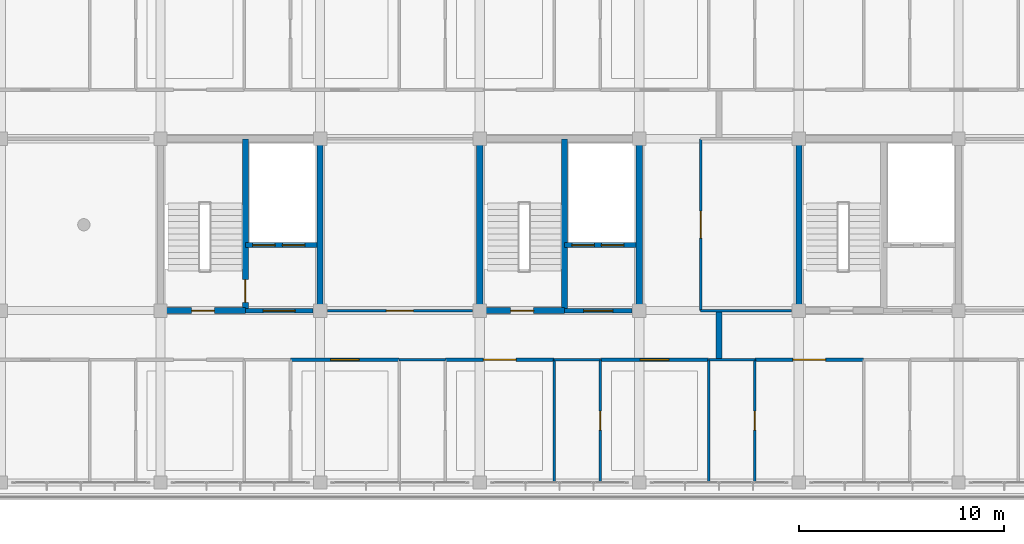
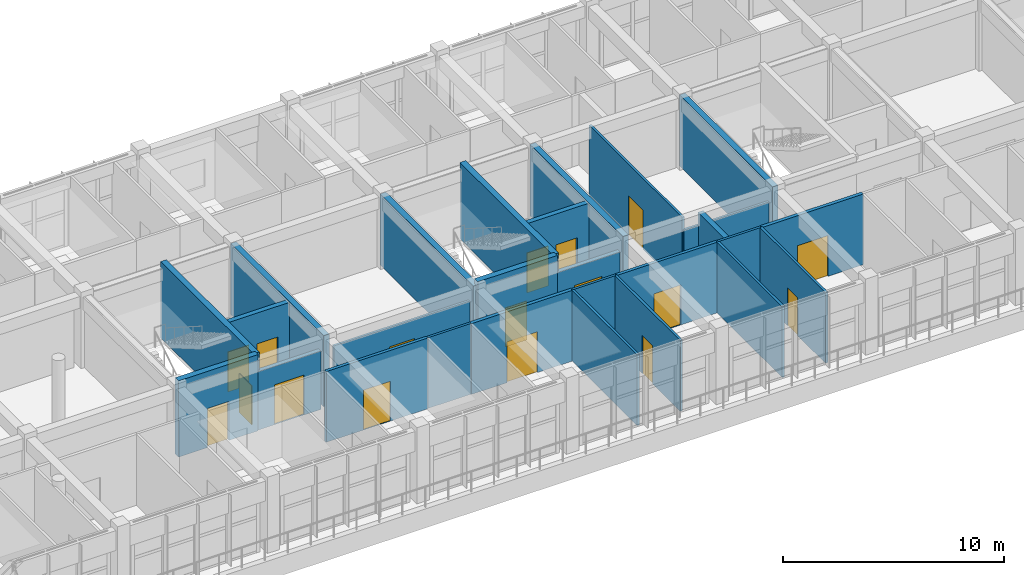
# One storey, part 51 of 63: 27 walls, 17 doors, 17 openings.
"""IFC4 building model written with IfcOpenShell, lengths in metres."""

from ifc_helpers import new_model, si_unit, direction, frame, frame_2d, origin, place, context, subcontext, project, spatial, rectangle, extrude, material, layer, layer_set, type_object, element, fill, save


model = new_model("IFC4")

# Units and contexts
model_context = context("Model", 3, precision=1e-05, world=origin(), true_north=direction((0.0, 1.0)))
body_context = subcontext(model_context, "Body", "Model", "MODEL_VIEW")
ifc_project = project(units=[si_unit("LENGTHUNIT", "METRE"), si_unit("AREAUNIT", "SQUARE_METRE"), si_unit("VOLUMEUNIT", "CUBIC_METRE"), si_unit("PLANEANGLEUNIT", "RADIAN"), si_unit("MASSUNIT", "GRAM", prefix="KILO")], contexts=[model_context])

# Site, building, storey
site_placement = place(None, origin())
site = spatial("IfcSite", under=ifc_project, at=site_placement, CompositionType="ELEMENT")
building_placement = place(site_placement, origin())
building = spatial("IfcBuilding", under=site, at=building_placement, Name="Zizhar Promenade General Hospital", CompositionType="ELEMENT")
storey_placement = place(building_placement, frame((0.0, 0.0, 18.0)))
storey = spatial("IfcBuildingStorey", under=building, at=storey_placement, Name="L04", CompositionType="ELEMENT", Elevation=18.0)

# Wall
ifc_material_1 = material(Name="Concrete C35/45", Category="concrete")
ifc_layer_1 = layer(ifc_material_1, 0.284912109375)
ifc_layer_set_1 = layer_set([ifc_layer_1], Name="Concrete C35/45")
wall_type_1 = type_object("IfcWallType", Name="IW-COMP-285", PredefinedType="STANDARD", material=ifc_layer_set_1)
wall_1_placement = place(storey_placement, frame((74.10009765625, 6.0, 0.0), z_axis=(0.0, 0.0, 1.0), x_axis=(0.0, 1.0, 0.0)))
element("IfcWall", 1, at=wall_1_placement, inside=storey, type_object=wall_type_1, Name="Horizontal Fire Compartment Wall South (L04)", PredefinedType="STANDARD", context=body_context, shape_type="SweptSolid", body=[
    extrude(rectangle(XDim=2.39990234375, YDim=0.284912109375, at=frame_2d((1.199951171875, 0.0))), origin(), (0.0, 0.0, 1.0), 3.89990234375),
])

# Wall, opening, door
ifc_material_2 = material(Name="Acoustic double-stud clinical partition")
ifc_layer_2 = layer(ifc_material_2, 0.179931640625)
ifc_layer_set_2 = layer_set([ifc_layer_2], Name="Acoustic double-stud clinical partition")
wall_type_2 = type_object("IfcWallType", Name="IW-ICU-180", PredefinedType="PARTITIONING", material=ifc_layer_set_2)
wall_2_placement = place(storey_placement, frame((60.72705078125, 6.0, 0.0), z_axis=(0.0, 0.0, 1.0), x_axis=(1.0, 0.0, 0.0)))
wall_2 = element("IfcWall", 2, at=wall_2_placement, inside=storey, type_object=wall_type_2, Name="Intensive Care Step-Down L04-S05 N Partition", PredefinedType="PARTITIONING", context=body_context, shape_type="SweptSolid", body=[
    extrude(rectangle(XDim=5.2958984375, YDim=0.179931640625, at=frame_2d((2.64794921875, 0.0))), origin(), (0.0, 0.0, 1.0), 3.89990234375),
])
opening_1_placement = place(wall_2_placement, frame((1.847900390625, 0.0, 0.0)))
opening_1 = element("IfcOpeningElement", 3, at=opening_1_placement, cuts=wall_2, Name="Opening D-05", PredefinedType="OPENING", context=body_context, shape_type="SweptSolid", body=[
    extrude(rectangle(XDim=1.60009765625, YDim=2.25, at=frame_2d((0.800048828125, 1.125))), frame((0.0, 0.10009765625, 0.0), z_axis=(0.0, -1.0, 0.0), x_axis=(1.0, 0.0, 0.0)), (0.0, 0.0, 1.0), 0.199951171875),
])
ifc_material_3 = material(Name="Anodised aluminium and clinical glass", Category="aluminium")
door_type_1 = type_object("IfcDoorType", Name="DR-ICU-GLZ-160x225", OperationType="SLIDING_TO_RIGHT", PredefinedType="DOOR", material=ifc_material_3)
door_1_placement = place(opening_1_placement, origin())
door_1 = element("IfcDoor", 4, at=door_1_placement, inside=storey, type_object=door_type_1, Name="Intensive Care Step-Down L04-S05 Door", OperationType="SLIDING_TO_RIGHT", OverallHeight=2.25, OverallWidth=1.60009765625, PredefinedType="DOOR", context=body_context, shape_type="SweptSolid", body=[
    extrude(rectangle(XDim=1.60009765625, YDim=2.25, at=frame_2d((0.800048828125, 1.125))), frame((0.0, 0.02490234375, 0.0), z_axis=(0.0, -1.0, 0.0), x_axis=(1.0, 0.0, 0.0)), (0.0, 0.0, 1.0), 0.050048828125),
])
fill(opening_1, door_1)

wall_3_placement = place(storey_placement, frame((75.860107421875, 6.0, 0.0), z_axis=(0.0, 0.0, 1.0), x_axis=(1.0, 0.0, 0.0)))
wall_3 = element("IfcWall", 5, at=wall_3_placement, inside=storey, type_object=wall_type_2, Name="Intensive Care Step-Down L04-S07 N Partition", PredefinedType="PARTITIONING", context=body_context, shape_type="SweptSolid", body=[
    extrude(rectangle(XDim=5.296875, YDim=0.179931640625, at=frame_2d((2.6484375, 0.0))), origin(), (0.0, 0.0, 1.0), 3.89990234375),
])
opening_2_placement = place(wall_3_placement, frame((1.848388671875, 0.0, 0.0)))
opening_2 = element("IfcOpeningElement", 6, at=opening_2_placement, cuts=wall_3, Name="Opening D-05", PredefinedType="OPENING", context=body_context, shape_type="SweptSolid", body=[
    extrude(rectangle(XDim=1.60009765625, YDim=2.25, at=frame_2d((0.800048828125, 1.125))), frame((0.0, 0.10009765625, 0.0), z_axis=(0.0, -1.0, 0.0), x_axis=(1.0, 0.0, 0.0)), (0.0, 0.0, 1.0), 0.199951171875),
])
door_2_placement = place(opening_2_placement, origin())
door_2 = element("IfcDoor", 7, at=door_2_placement, inside=storey, type_object=door_type_1, Name="Intensive Care Step-Down L04-S07 Door", OperationType="SLIDING_TO_RIGHT", OverallHeight=2.25, OverallWidth=1.60009765625, PredefinedType="DOOR", context=body_context, shape_type="SweptSolid", body=[
    extrude(rectangle(XDim=1.60009765625, YDim=2.25, at=frame_2d((0.800048828125, 1.125))), frame((0.0, 0.02490234375, 0.0), z_axis=(0.0, -1.0, 0.0), x_axis=(1.0, 0.0, 0.0)), (0.0, 0.0, 1.0), 0.050048828125),
])
fill(opening_2, door_2)

ifc_material_4 = material(Name="Concrete C35/45", Category="concrete")
ifc_layer_3 = layer(ifc_material_4, 0.215087890625)
ifc_layer_set_3 = layer_set([ifc_layer_3], Name="Concrete C35/45")
wall_type_3 = type_object("IfcWallType", Name="IW-LOBBY-215", PredefinedType="STANDARD", material=ifc_layer_set_3)
wall_4_placement = place(storey_placement, frame((50.949951171875, 8.39990234375, 0.0), z_axis=(0.0, 0.0, 1.0), x_axis=(1.0, 0.0, 0.0)))
wall_4 = element("IfcWall", 8, at=wall_4_placement, inside=storey, type_object=wall_type_3, Name="Core C2 Lift Lobby South Fire Wall (L04)", PredefinedType="STANDARD", context=body_context, shape_type="SweptSolid", body=[
    extrude(rectangle(XDim=3.2900390625, YDim=0.215087890625, at=frame_2d((1.64501953125, 0.0))), origin(), (0.0, 0.0, 1.0), 3.219970703125),
])
opening_3_placement = place(wall_4_placement, frame((0.864990234375, 0.0, 0.0)))
opening_3 = element("IfcOpeningElement", 9, at=opening_3_placement, cuts=wall_4, Name="Opening D-22", PredefinedType="OPENING", context=body_context, shape_type="SweptSolid", body=[
    extrude(rectangle(XDim=1.56005859375, YDim=2.199951171875, at=frame_2d((0.780029296875, 1.10009765625))), frame((0.0, 0.11767578125, 0.0), z_axis=(0.0, -1.0, 0.0), x_axis=(1.0, 0.0, 0.0)), (0.0, 0.0, 1.0), 0.235107421875),
])
ifc_material_5 = material(Name="Steel S355 firefighting lobby pair", Category="steel")
door_type_2 = type_object("IfcDoorType", Name="DR-LOBBY-FF-156x220", OperationType="DOUBLE_DOOR_SINGLE_SWING", PredefinedType="DOOR", material=ifc_material_5)
door_3_placement = place(opening_3_placement, origin())
door_3 = element("IfcDoor", 10, at=door_3_placement, inside=storey, type_object=door_type_2, Name="Core C2 Firefighting Lift Lobby Door (L04)", OperationType="DOUBLE_DOOR_SINGLE_SWING", OverallHeight=2.199951171875, OverallWidth=1.56005859375, PredefinedType="DOOR", context=body_context, shape_type="SweptSolid", body=[
    extrude(rectangle(XDim=1.56005859375, YDim=2.199951171875, at=frame_2d((0.780029296875, 1.10009765625))), frame((0.0, 0.02490234375, 0.0), z_axis=(0.0, -1.0, 0.0), x_axis=(1.0, 0.0, 0.0)), (0.0, 0.0, 1.0), 0.050048828125),
])
fill(opening_3, door_3)

wall_5_placement = place(storey_placement, frame((66.550048828125, 8.39990234375, 0.0), z_axis=(0.0, 0.0, 1.0), x_axis=(1.0, 0.0, 0.0)))
wall_5 = element("IfcWall", 11, at=wall_5_placement, inside=storey, type_object=wall_type_3, Name="Core C3 Lift Lobby South Fire Wall (L04)", PredefinedType="STANDARD", context=body_context, shape_type="SweptSolid", body=[
    extrude(rectangle(XDim=3.2900390625, YDim=0.215087890625, at=frame_2d((1.64501953125, 0.0))), origin(), (0.0, 0.0, 1.0), 3.219970703125),
])
opening_4_placement = place(wall_5_placement, frame((0.925048828125, 0.0, 0.0)))
opening_4 = element("IfcOpeningElement", 12, at=opening_4_placement, cuts=wall_5, Name="Opening D-23", PredefinedType="OPENING", context=body_context, shape_type="SweptSolid", body=[
    extrude(rectangle(XDim=1.43994140625, YDim=2.199951171875, at=frame_2d((0.719970703125, 1.10009765625))), frame((0.0, 0.11767578125, 0.0), z_axis=(0.0, -1.0, 0.0), x_axis=(1.0, 0.0, 0.0)), (0.0, 0.0, 1.0), 0.235107421875),
])
ifc_material_6 = material(Name="Fire-rated timber lift lobby pair", Category="wood")
door_type_3 = type_object("IfcDoorType", Name="DR-LOBBY-PR-144x220", OperationType="DOUBLE_DOOR_SINGLE_SWING", PredefinedType="DOOR", material=ifc_material_6)
door_4_placement = place(opening_4_placement, origin())
door_4 = element("IfcDoor", 13, at=door_4_placement, inside=storey, type_object=door_type_3, Name="Core C3 Protected Lift Lobby Door (L04)", OperationType="DOUBLE_DOOR_SINGLE_SWING", OverallHeight=2.199951171875, OverallWidth=1.43994140625, PredefinedType="DOOR", context=body_context, shape_type="SweptSolid", body=[
    extrude(rectangle(XDim=1.43994140625, YDim=2.199951171875, at=frame_2d((0.719970703125, 1.10009765625))), frame((0.0, 0.02490234375, 0.0), z_axis=(0.0, -1.0, 0.0), x_axis=(1.0, 0.0, 0.0)), (0.0, 0.0, 1.0), 0.050048828125),
])
fill(opening_4, door_4)

# Wall, openings, doors
ifc_material_7 = material(Name="Concrete C35/45", Category="concrete")
ifc_layer_4 = layer(ifc_material_7, 0.25)
ifc_layer_set_4 = layer_set([ifc_layer_4], Name="Concrete C35/45")
wall_type_4 = type_object("IfcWallType", Name="IW-SHAFT-250", PredefinedType="STANDARD", material=ifc_layer_set_4)
wall_6_placement = place(storey_placement, frame((50.949951171875, 11.60009765625, 0.0), z_axis=(0.0, 0.0, 1.0), x_axis=(1.0, 0.0, 0.0)))
wall_6 = element("IfcWall", 14, at=wall_6_placement, inside=storey, type_object=wall_type_4, Name="Core C2 Lift Shaft Landing Wall (L04)", PredefinedType="STANDARD", context=body_context, shape_type="SweptSolid", body=[
    extrude(rectangle(XDim=3.5, YDim=0.25, at=frame_2d((1.75, 0.0))), origin(), (0.0, 0.0, 1.0), 3.89990234375),
])
opening_5_placement = place(wall_6_placement, frame((0.35009765625, 0.0, 0.0)))
opening_5 = element("IfcOpeningElement", 15, at=opening_5_placement, cuts=wall_6, Name="Opening LD-11", PredefinedType="OPENING", context=body_context, shape_type="SweptSolid", body=[
    extrude(rectangle(XDim=1.10009765625, YDim=2.199951171875, at=frame_2d((0.550048828125, 1.10009765625))), frame((0.0, 0.135009765625, 0.0), z_axis=(0.0, -1.0, 0.0), x_axis=(1.0, 0.0, 0.0)), (0.0, 0.0, 1.0), 0.27001953125),
])
opening_6_placement = place(wall_6_placement, frame((1.800048828125, 0.0, 0.0)))
opening_6 = element("IfcOpeningElement", 16, at=opening_6_placement, cuts=wall_6, Name="Opening LD-11", PredefinedType="OPENING", context=body_context, shape_type="SweptSolid", body=[
    extrude(rectangle(XDim=1.10009765625, YDim=2.199951171875, at=frame_2d((0.550048828125, 1.10009765625))), frame((0.0, 0.135009765625, 0.0), z_axis=(0.0, -1.0, 0.0), x_axis=(1.0, 0.0, 0.0)), (0.0, 0.0, 1.0), 0.27001953125),
])
ifc_material_8 = material(Name="Stainless Steel S355 passenger lift landing door", Category="steel")
door_type_4 = type_object("IfcDoorType", Name="DR-LIFT-LD11", OperationType="SLIDING_TO_LEFT", PredefinedType="DOOR", material=ifc_material_8)
door_5_placement = place(opening_5_placement, origin())
door_5 = element("IfcDoor", 17, at=door_5_placement, inside=storey, type_object=door_type_4, Name="Lift LF-01 Sliding Landing Door (L04)", OperationType="SLIDING_TO_LEFT", OverallHeight=2.199951171875, OverallWidth=1.10009765625, PredefinedType="DOOR", context=body_context, shape_type="SweptSolid", body=[
    extrude(rectangle(XDim=1.10009765625, YDim=2.199951171875, at=frame_2d((0.550048828125, 1.10009765625))), frame((0.0, 0.02490234375, 0.0), z_axis=(0.0, -1.0, 0.0), x_axis=(1.0, 0.0, 0.0)), (0.0, 0.0, 1.0), 0.050048828125),
])
fill(opening_5, door_5)
door_6_placement = place(opening_6_placement, origin())
door_6 = element("IfcDoor", 18, at=door_6_placement, inside=storey, type_object=door_type_4, Name="Lift LB-01 Sliding Landing Door (L04)", OperationType="SLIDING_TO_LEFT", OverallHeight=2.199951171875, OverallWidth=1.10009765625, PredefinedType="DOOR", context=body_context, shape_type="SweptSolid", body=[
    extrude(rectangle(XDim=1.10009765625, YDim=2.199951171875, at=frame_2d((0.550048828125, 1.10009765625))), frame((0.0, 0.02490234375, 0.0), z_axis=(0.0, -1.0, 0.0), x_axis=(1.0, 0.0, 0.0)), (0.0, 0.0, 1.0), 0.050048828125),
])
fill(opening_6, door_6)

wall_7_placement = place(storey_placement, frame((66.550048828125, 11.60009765625, 0.0), z_axis=(0.0, 0.0, 1.0), x_axis=(1.0, 0.0, 0.0)))
wall_7 = element("IfcWall", 19, at=wall_7_placement, inside=storey, type_object=wall_type_4, Name="Core C3 Lift Shaft Landing Wall (L04)", PredefinedType="STANDARD", context=body_context, shape_type="SweptSolid", body=[
    extrude(rectangle(XDim=3.5, YDim=0.25, at=frame_2d((1.75, 0.0))), origin(), (0.0, 0.0, 1.0), 3.89990234375),
])
opening_7_placement = place(wall_7_placement, frame((0.35009765625, 0.0, 0.0)))
opening_7 = element("IfcOpeningElement", 20, at=opening_7_placement, cuts=wall_7, Name="Opening LD-11", PredefinedType="OPENING", context=body_context, shape_type="SweptSolid", body=[
    extrude(rectangle(XDim=1.10009765625, YDim=2.199951171875, at=frame_2d((0.550048828125, 1.10009765625))), frame((0.0, 0.135009765625, 0.0), z_axis=(0.0, -1.0, 0.0), x_axis=(1.0, 0.0, 0.0)), (0.0, 0.0, 1.0), 0.27001953125),
])
opening_8_placement = place(wall_7_placement, frame((1.800048828125, 0.0, 0.0)))
opening_8 = element("IfcOpeningElement", 21, at=opening_8_placement, cuts=wall_7, Name="Opening LD-11", PredefinedType="OPENING", context=body_context, shape_type="SweptSolid", body=[
    extrude(rectangle(XDim=1.10009765625, YDim=2.199951171875, at=frame_2d((0.550048828125, 1.10009765625))), frame((0.0, 0.135009765625, 0.0), z_axis=(0.0, -1.0, 0.0), x_axis=(1.0, 0.0, 0.0)), (0.0, 0.0, 1.0), 0.27001953125),
])
door_7_placement = place(opening_7_placement, origin())
door_7 = element("IfcDoor", 22, at=door_7_placement, inside=storey, type_object=door_type_4, Name="Lift LB-02 Sliding Landing Door (L04)", OperationType="SLIDING_TO_LEFT", OverallHeight=2.199951171875, OverallWidth=1.10009765625, PredefinedType="DOOR", context=body_context, shape_type="SweptSolid", body=[
    extrude(rectangle(XDim=1.10009765625, YDim=2.199951171875, at=frame_2d((0.550048828125, 1.10009765625))), frame((0.0, 0.02490234375, 0.0), z_axis=(0.0, -1.0, 0.0), x_axis=(1.0, 0.0, 0.0)), (0.0, 0.0, 1.0), 0.050048828125),
])
fill(opening_7, door_7)
door_8_placement = place(opening_8_placement, origin())
door_8 = element("IfcDoor", 23, at=door_8_placement, inside=storey, type_object=door_type_4, Name="Lift LP-02 Sliding Landing Door (L04)", OperationType="SLIDING_TO_LEFT", OverallHeight=2.199951171875, OverallWidth=1.10009765625, PredefinedType="DOOR", context=body_context, shape_type="SweptSolid", body=[
    extrude(rectangle(XDim=1.10009765625, YDim=2.199951171875, at=frame_2d((0.550048828125, 1.10009765625))), frame((0.0, 0.02490234375, 0.0), z_axis=(0.0, -1.0, 0.0), x_axis=(1.0, 0.0, 0.0)), (0.0, 0.0, 1.0), 0.050048828125),
])
fill(opening_8, door_8)

# Wall, opening, door
ifc_material_9 = material(Name="Clean utility gypsum partition")
ifc_layer_5 = layer(ifc_material_9, 0.114990234375)
ifc_layer_set_5 = layer_set([ifc_layer_5], Name="Clean utility gypsum partition")
wall_type_5 = type_object("IfcWallType", Name="IW-STR-115", PredefinedType="PARTITIONING", material=ifc_layer_set_5)
wall_8_placement = place(storey_placement, frame((54.9599609375, 8.39990234375, 0.0), z_axis=(0.0, 0.0, 1.0), x_axis=(1.0, 0.0, 0.0)))
wall_8 = element("IfcWall", 24, at=wall_8_placement, inside=storey, type_object=wall_type_5, Name="Nurse Station and Medication Room L04 S Partition", PredefinedType="PARTITIONING", context=body_context, shape_type="SweptSolid", body=[
    extrude(rectangle(XDim=7.080078125, YDim=0.114990234375, at=frame_2d((3.5400390625, 0.0))), origin(), (0.0, 0.0, 1.0), 3.219970703125),
])
opening_9_placement = place(wall_8_placement, frame((2.8798828125, 0.0, 0.0)))
opening_9 = element("IfcOpeningElement", 25, at=opening_9_placement, cuts=wall_8, Name="Opening D-26", PredefinedType="OPENING", context=body_context, shape_type="SweptSolid", body=[
    extrude(rectangle(XDim=1.320068359375, YDim=2.14990234375, at=frame_2d((0.66015625, 1.074951171875))), frame((0.0, 0.0673828125, 0.0), z_axis=(0.0, -1.0, 0.0), x_axis=(1.0, 0.0, 0.0)), (0.0, 0.0, 1.0), 0.135009765625),
])
ifc_material_10 = material(Name="Fire-rated timber store leaf", Category="wood")
door_type_5 = type_object("IfcDoorType", Name="DR-STORE-132x215", OperationType="NOTDEFINED", PredefinedType="DOOR", material=ifc_material_10)
door_9_placement = place(opening_9_placement, origin())
door_9 = element("IfcDoor", 26, at=door_9_placement, inside=storey, type_object=door_type_5, Name="Nurse Station and Medication Room L04 Door", OperationType="SINGLE_SWING_RIGHT", OverallHeight=2.14990234375, OverallWidth=1.320068359375, PredefinedType="DOOR", context=body_context, shape_type="SweptSolid", body=[
    extrude(rectangle(XDim=1.320068359375, YDim=2.14990234375, at=frame_2d((0.66015625, 1.074951171875))), frame((0.0, 0.02490234375, 0.0), z_axis=(0.0, -1.0, 0.0), x_axis=(1.0, 0.0, 0.0)), (0.0, 0.0, 1.0), 0.050048828125),
])
fill(opening_9, door_9)

# Wall
wall_9_placement = place(storey_placement, frame((73.199951171875, 8.39990234375, 0.0), z_axis=(0.0, 0.0, 1.0), x_axis=(1.0, 0.0, 0.0)))
element("IfcWall", 27, at=wall_9_placement, inside=storey, type_object=wall_type_5, Name="Telemetry Monitoring Suite S Partition", PredefinedType="PARTITIONING", context=body_context, shape_type="SweptSolid", body=[
    extrude(rectangle(XDim=4.43994140625, YDim=0.114990234375, at=frame_2d((2.219970703125, 0.0))), origin(), (0.0, 0.0, 1.0), 3.219970703125),
])

# Wall, opening, door
wall_10_placement = place(storey_placement, frame((73.199951171875, 8.39990234375, 0.0), z_axis=(0.0, 0.0, 1.0), x_axis=(0.0, 1.0, 0.0)))
wall_10 = element("IfcWall", 28, at=wall_10_placement, inside=storey, type_object=wall_type_5, Name="Telemetry Monitoring Suite W Partition", PredefinedType="PARTITIONING", context=body_context, shape_type="SweptSolid", body=[
    extrude(rectangle(XDim=8.400146484375, YDim=0.114990234375, at=frame_2d((4.2001953125, 0.0))), origin(), (0.0, 0.0, 1.0), 3.89990234375),
])
opening_10_placement = place(wall_10_placement, frame((3.5400390625, 0.0, 0.0)))
opening_10 = element("IfcOpeningElement", 29, at=opening_10_placement, cuts=wall_10, Name="Opening D-26", PredefinedType="OPENING", context=body_context, shape_type="SweptSolid", body=[
    extrude(rectangle(XDim=1.320068359375, YDim=2.14990234375, at=frame_2d((0.66015625, 1.074951171875))), frame((0.0, 0.0673828125, 0.0), z_axis=(0.0, -1.0, 0.0), x_axis=(1.0, 0.0, 0.0)), (0.0, 0.0, 1.0), 0.135009765625),
])
door_10_placement = place(opening_10_placement, origin())
door_10 = element("IfcDoor", 30, at=door_10_placement, inside=storey, type_object=door_type_5, Name="Telemetry Monitoring Suite Door", OperationType="SINGLE_SWING_LEFT", OverallHeight=2.14990234375, OverallWidth=1.320068359375, PredefinedType="DOOR", context=body_context, shape_type="SweptSolid", body=[
    extrude(rectangle(XDim=1.320068359375, YDim=2.14990234375, at=frame_2d((0.66015625, 1.074951171875))), frame((0.0, 0.02490234375, 0.0), z_axis=(0.0, -1.0, 0.0), x_axis=(1.0, 0.0, 0.0)), (0.0, 0.0, 1.0), 0.050048828125),
])
fill(opening_10, door_10)

ifc_material_11 = material(Name="Acoustic patient bedroom partition")
ifc_layer_6 = layer(ifc_material_11, 0.155029296875)
ifc_layer_set_6 = layer_set([ifc_layer_6], Name="Acoustic patient bedroom partition")
wall_type_6 = type_object("IfcWallType", Name="IW-WARD-155", PredefinedType="PARTITIONING", material=ifc_layer_set_6)
wall_11_placement = place(storey_placement, frame((53.159912109375, 6.0, 0.0), z_axis=(0.0, 0.0, 1.0), x_axis=(1.0, 0.0, 0.0)))
wall_11 = element("IfcWall", 31, at=wall_11_placement, inside=storey, type_object=wall_type_6, Name="Acute Medical Inpatient Ward L04-S04 N Partition", PredefinedType="PARTITIONING", context=body_context, shape_type="SweptSolid", body=[
    extrude(rectangle(XDim=5.297119140625, YDim=0.155029296875, at=frame_2d((2.6484375, 0.0))), origin(), (0.0, 0.0, 1.0), 3.89990234375),
])
opening_11_placement = place(wall_11_placement, frame((1.948486328125, 0.0, 0.0)))
opening_11 = element("IfcOpeningElement", 32, at=opening_11_placement, cuts=wall_11, Name="Opening D-06", PredefinedType="OPENING", context=body_context, shape_type="SweptSolid", body=[
    extrude(rectangle(XDim=1.39990234375, YDim=2.199951171875, at=frame_2d((0.699951171875, 1.10009765625))), frame((0.0, 0.08740234375, 0.0), z_axis=(0.0, -1.0, 0.0), x_axis=(1.0, 0.0, 0.0)), (0.0, 0.0, 1.0), 0.175048828125),
])
ifc_material_12 = material(Name="Fire-rated timber hospital bed leaf", Category="wood")
door_type_6 = type_object("IfcDoorType", Name="DR-BED-WARD-140x220", OperationType="NOTDEFINED", PredefinedType="DOOR", material=ifc_material_12)
door_11_placement = place(opening_11_placement, origin())
door_11 = element("IfcDoor", 33, at=door_11_placement, inside=storey, type_object=door_type_6, Name="Acute Medical Inpatient Ward L04-S04 Door", OperationType="SINGLE_SWING_RIGHT", OverallHeight=2.199951171875, OverallWidth=1.39990234375, PredefinedType="DOOR", context=body_context, shape_type="SweptSolid", body=[
    extrude(rectangle(XDim=1.39990234375, YDim=2.199951171875, at=frame_2d((0.699951171875, 1.10009765625))), frame((0.0, 0.02490234375, 0.0), z_axis=(0.0, -1.0, 0.0), x_axis=(1.0, 0.0, 0.0)), (0.0, 0.0, 1.0), 0.050048828125),
])
fill(opening_11, door_11)

wall_12_placement = place(storey_placement, frame((68.29296875, 6.0, 0.0), z_axis=(0.0, 0.0, 1.0), x_axis=(1.0, 0.0, 0.0)))
wall_12 = element("IfcWall", 34, at=wall_12_placement, inside=storey, type_object=wall_type_6, Name="Acute Medical Inpatient Ward L04-S06 N Partition", PredefinedType="PARTITIONING", context=body_context, shape_type="SweptSolid", body=[
    extrude(rectangle(XDim=5.297119140625, YDim=0.155029296875, at=frame_2d((2.6484375, 0.0))), origin(), (0.0, 0.0, 1.0), 3.89990234375),
])
opening_12_placement = place(wall_12_placement, frame((1.948486328125, 0.0, 0.0)))
opening_12 = element("IfcOpeningElement", 35, at=opening_12_placement, cuts=wall_12, Name="Opening D-06", PredefinedType="OPENING", context=body_context, shape_type="SweptSolid", body=[
    extrude(rectangle(XDim=1.39990234375, YDim=2.199951171875, at=frame_2d((0.699951171875, 1.10009765625))), frame((0.0, 0.08740234375, 0.0), z_axis=(0.0, -1.0, 0.0), x_axis=(1.0, 0.0, 0.0)), (0.0, 0.0, 1.0), 0.175048828125),
])
door_12_placement = place(opening_12_placement, origin())
door_12 = element("IfcDoor", 36, at=door_12_placement, inside=storey, type_object=door_type_6, Name="Acute Medical Inpatient Ward L04-S06 Door", OperationType="SINGLE_SWING_RIGHT", OverallHeight=2.199951171875, OverallWidth=1.39990234375, PredefinedType="DOOR", context=body_context, shape_type="SweptSolid", body=[
    extrude(rectangle(XDim=1.39990234375, YDim=2.199951171875, at=frame_2d((0.699951171875, 1.10009765625))), frame((0.0, 0.02490234375, 0.0), z_axis=(0.0, -1.0, 0.0), x_axis=(1.0, 0.0, 0.0)), (0.0, 0.0, 1.0), 0.050048828125),
])
fill(opening_12, door_12)

# Walls
ifc_material_13 = material(Name="Moisture-resistant en-suite wet partition")
ifc_layer_7 = layer(ifc_material_13, 0.125)
ifc_layer_set_7 = layer_set([ifc_layer_7], Name="Moisture-resistant en-suite wet partition")
wall_type_7 = type_object("IfcWallType", Name="IW-WET-125", PredefinedType="PARTITIONING", material=ifc_layer_set_7)
for number, where, z_axis, x_axis, name in (
    (37, (58.466796875, 6.0, 0.0), (0.0, 0.0, 1.0), (1.0, 0.0, 0.0), "En-Suite Patient Bathroom L04-S05 N Partition"),
    (38, (66.033203125, 6.0, 0.0), (0.0, 0.0, 1.0), (1.0, 0.0, 0.0), "En-Suite Patient Bathroom L04-S06 N Partition"),
):
    element("IfcWall", number, at=place(storey_placement, frame(where, z_axis=z_axis, x_axis=x_axis)), inside=storey, type_object=wall_type_7, Name=name, PredefinedType="PARTITIONING", context=body_context, shape_type="SweptSolid", body=[
        extrude(rectangle(XDim=2.25, YDim=0.125, at=frame_2d((1.125, 0.0))), origin(), (0.0, 0.0, 1.0), 3.89990234375),
    ])
wall_13_placement = place(storey_placement, frame((66.033203125, 0.044921875, 0.0), z_axis=(0.0, 0.0, 1.0), x_axis=(0.0, 1.0, 0.0)))
element("IfcWall", 39, at=wall_13_placement, inside=storey, type_object=wall_type_7, Name="En-Suite Patient Bathroom L04-S06 W Partition", PredefinedType="PARTITIONING", context=body_context, shape_type="SweptSolid", body=[
    extrude(rectangle(XDim=5.955078125, YDim=0.125, at=frame_2d((2.9775390625, 0.0))), origin(), (0.0, 0.0, 1.0), 3.89990234375),
])

# Wall, opening, door
wall_14_placement = place(storey_placement, frame((68.283203125, 0.044921875, 0.0), z_axis=(0.0, 0.0, 1.0), x_axis=(0.0, 1.0, 0.0)))
wall_14 = element("IfcWall", 40, at=wall_14_placement, inside=storey, type_object=wall_type_7, Name="En-Suite Patient Bathroom L04-S06 E Partition", PredefinedType="PARTITIONING", context=body_context, shape_type="SweptSolid", body=[
    extrude(rectangle(XDim=5.955078125, YDim=0.125, at=frame_2d((2.9775390625, 0.0))), origin(), (0.0, 0.0, 1.0), 3.89990234375),
])
opening_13_placement = place(wall_14_placement, frame((2.517578125, 0.0, 0.0)))
opening_13 = element("IfcOpeningElement", 41, at=opening_13_placement, cuts=wall_14, Name="Opening D-18", PredefinedType="OPENING", context=body_context, shape_type="SweptSolid", body=[
    extrude(rectangle(XDim=0.919921875, YDim=2.10009765625, at=frame_2d((0.4599609375, 1.050048828125))), frame((0.0, 0.072509765625, 0.0), z_axis=(0.0, -1.0, 0.0), x_axis=(1.0, 0.0, 0.0)), (0.0, 0.0, 1.0), 0.14501953125),
])
ifc_material_14 = material(Name="Moisture-resistant timber en-suite leaf", Category="wood")
door_type_7 = type_object("IfcDoorType", Name="DR-ENS-STD-092x210", OperationType="NOTDEFINED", PredefinedType="DOOR", material=ifc_material_14)
door_13_placement = place(opening_13_placement, origin())
door_13 = element("IfcDoor", 42, at=door_13_placement, inside=storey, type_object=door_type_7, Name="En-Suite Patient Bathroom L04-S06 Door", OperationType="SINGLE_SWING_RIGHT", OverallHeight=2.10009765625, OverallWidth=0.919921875, PredefinedType="DOOR", context=body_context, shape_type="SweptSolid", body=[
    extrude(rectangle(XDim=0.919921875, YDim=2.10009765625, at=frame_2d((0.4599609375, 1.050048828125))), frame((0.0, 0.02490234375, 0.0), z_axis=(0.0, -1.0, 0.0), x_axis=(1.0, 0.0, 0.0)), (0.0, 0.0, 1.0), 0.050048828125),
])
fill(opening_13, door_13)

# Walls
wall_15_placement = place(storey_placement, frame((73.60009765625, 6.0, 0.0), z_axis=(0.0, 0.0, 1.0), x_axis=(1.0, 0.0, 0.0)))
element("IfcWall", 43, at=wall_15_placement, inside=storey, type_object=wall_type_7, Name="En-Suite Patient Bathroom L04-S07 N Partition", PredefinedType="PARTITIONING", context=body_context, shape_type="SweptSolid", body=[
    extrude(rectangle(XDim=2.25, YDim=0.125, at=frame_2d((1.125, 0.0))), origin(), (0.0, 0.0, 1.0), 3.89990234375),
])
wall_16_placement = place(storey_placement, frame((73.60009765625, 0.044921875, 0.0), z_axis=(0.0, 0.0, 1.0), x_axis=(0.0, 1.0, 0.0)))
element("IfcWall", 44, at=wall_16_placement, inside=storey, type_object=wall_type_7, Name="En-Suite Patient Bathroom L04-S07 W Partition", PredefinedType="PARTITIONING", context=body_context, shape_type="SweptSolid", body=[
    extrude(rectangle(XDim=5.955078125, YDim=0.125, at=frame_2d((2.9775390625, 0.0))), origin(), (0.0, 0.0, 1.0), 3.89990234375),
])

# Wall, opening, door
wall_17_placement = place(storey_placement, frame((75.85009765625, 0.044921875, 0.0), z_axis=(0.0, 0.0, 1.0), x_axis=(0.0, 1.0, 0.0)))
wall_17 = element("IfcWall", 45, at=wall_17_placement, inside=storey, type_object=wall_type_7, Name="En-Suite Patient Bathroom L04-S07 E Partition", PredefinedType="PARTITIONING", context=body_context, shape_type="SweptSolid", body=[
    extrude(rectangle(XDim=5.955078125, YDim=0.125, at=frame_2d((2.9775390625, 0.0))), origin(), (0.0, 0.0, 1.0), 3.89990234375),
])
opening_14_placement = place(wall_17_placement, frame((2.517578125, 0.0, 0.0)))
opening_14 = element("IfcOpeningElement", 46, at=opening_14_placement, cuts=wall_17, Name="Opening D-18", PredefinedType="OPENING", context=body_context, shape_type="SweptSolid", body=[
    extrude(rectangle(XDim=0.919921875, YDim=2.10009765625, at=frame_2d((0.4599609375, 1.050048828125))), frame((0.0, 0.072509765625, 0.0), z_axis=(0.0, -1.0, 0.0), x_axis=(1.0, 0.0, 0.0)), (0.0, 0.0, 1.0), 0.14501953125),
])
door_14_placement = place(opening_14_placement, origin())
door_14 = element("IfcDoor", 47, at=door_14_placement, inside=storey, type_object=door_type_7, Name="En-Suite Patient Bathroom L04-S07 Door", OperationType="SINGLE_SWING_RIGHT", OverallHeight=2.10009765625, OverallWidth=0.919921875, PredefinedType="DOOR", context=body_context, shape_type="SweptSolid", body=[
    extrude(rectangle(XDim=0.919921875, YDim=2.10009765625, at=frame_2d((0.4599609375, 1.050048828125))), frame((0.0, 0.02490234375, 0.0), z_axis=(0.0, -1.0, 0.0), x_axis=(1.0, 0.0, 0.0)), (0.0, 0.0, 1.0), 0.050048828125),
])
fill(opening_14, door_14)

# Walls
ifc_material_15 = material(Name="Concrete C40/50", Category="concrete")
ifc_layer_8 = layer(ifc_material_15, 0.300048828125)
ifc_layer_set_8 = layer_set([ifc_layer_8], Name="Concrete C40/50")
wall_type_8 = type_object("IfcWallType", Name="WL-CORE-300", PredefinedType="SHEAR", material=ifc_layer_set_8)
for number, where, z_axis, x_axis, name in (
    (48, (54.60009765625, 8.39990234375, 0.0), (0.0, 0.0, 1.0), (0.0, 1.0, 0.0), "Core C2 East Shear Wall L04"),
    (49, (62.39990234375, 8.39990234375, 0.0), (0.0, 0.0, 1.0), (0.0, 1.0, 0.0), "Core C3 West Shear Wall L04"),
    (50, (70.199951171875, 8.39990234375, 0.0), (0.0, 0.0, 1.0), (0.0, 1.0, 0.0), "Core C3 East Shear Wall L04"),
    (51, (78.0, 8.39990234375, 0.0), (0.0, 0.0, 1.0), (0.0, 1.0, 0.0), "Core C4 West Shear Wall L04"),
):
    element("IfcWall", number, at=place(storey_placement, frame(where, z_axis=z_axis, x_axis=x_axis)), inside=storey, type_object=wall_type_8, Name=name, PredefinedType="SHEAR", context=body_context, shape_type="SweptSolid", body=[
        extrude(rectangle(XDim=8.400146484375, YDim=0.300048828125, at=frame_2d((4.2001953125, 0.0))), origin(), (0.0, 0.0, 1.0), 3.919921875),
    ])

# Wall, opening, door
wall_18_placement = place(storey_placement, frame((46.800048828125, 8.39990234375, 0.0), z_axis=(0.0, 0.0, 1.0), x_axis=(1.0, 0.0, 0.0)))
wall_18 = element("IfcWall", 52, at=wall_18_placement, inside=storey, type_object=wall_type_8, Name="Core C2 Stair South Fire Wall (L04)", PredefinedType="SHEAR", context=body_context, shape_type="SweptSolid", body=[
    extrude(rectangle(XDim=4.14990234375, YDim=0.300048828125, at=frame_2d((2.074951171875, 0.0))), origin(), (0.0, 0.0, 1.0), 4.199951171875),
])
opening_15_placement = place(wall_18_placement, frame((1.514892578125, 0.0, 0.0)))
opening_15 = element("IfcOpeningElement", 53, at=opening_15_placement, cuts=wall_18, Name="Opening D-21", PredefinedType="OPENING", context=body_context, shape_type="SweptSolid", body=[
    extrude(rectangle(XDim=1.1201171875, YDim=2.14990234375, at=frame_2d((0.56005859375, 1.074951171875))), frame((0.0, 0.16015625, 0.0), z_axis=(0.0, -1.0, 0.0), x_axis=(1.0, 0.0, 0.0)), (0.0, 0.0, 1.0), 0.320068359375),
])
ifc_material_16 = material(Name="Steel S355 protected stair door", Category="steel")
door_type_8 = type_object("IfcDoorType", Name="DR-STAIR-112x215", OperationType="NOTDEFINED", PredefinedType="DOOR", material=ifc_material_16)
door_15_placement = place(opening_15_placement, origin())
door_15 = element("IfcDoor", 54, at=door_15_placement, inside=storey, type_object=door_type_8, Name="Exit Stair ST-02 Door (L04)", OperationType="SINGLE_SWING_LEFT", OverallHeight=2.14990234375, OverallWidth=1.1201171875, PredefinedType="DOOR", context=body_context, shape_type="SweptSolid", body=[
    extrude(rectangle(XDim=1.1201171875, YDim=2.14990234375, at=frame_2d((0.56005859375, 1.074951171875))), frame((0.0, 0.02490234375, 0.0), z_axis=(0.0, -1.0, 0.0), x_axis=(1.0, 0.0, 0.0)), (0.0, 0.0, 1.0), 0.050048828125),
])
fill(opening_15, door_15)

wall_19_placement = place(storey_placement, frame((50.949951171875, 8.39990234375, 0.0), z_axis=(0.0, 0.0, 1.0), x_axis=(0.0, 1.0, 0.0)))
wall_19 = element("IfcWall", 55, at=wall_19_placement, inside=storey, type_object=wall_type_8, Name="Core C2 Stair-Shaft Separation Wall (L04)", PredefinedType="SHEAR", context=body_context, shape_type="SweptSolid", body=[
    extrude(rectangle(XDim=8.400146484375, YDim=0.300048828125, at=frame_2d((4.2001953125, 0.0))), origin(), (0.0, 0.0, 1.0), 4.199951171875),
])
opening_16_placement = place(wall_19_placement, frame((0.39990234375, 0.0, 0.0)))
opening_16 = element("IfcOpeningElement", 56, at=opening_16_placement, cuts=wall_19, Name="Opening D-21", PredefinedType="OPENING", context=body_context, shape_type="SweptSolid", body=[
    extrude(rectangle(XDim=1.1201171875, YDim=2.14990234375, at=frame_2d((0.56005859375, 1.074951171875))), frame((0.0, 0.16015625, 0.0), z_axis=(0.0, -1.0, 0.0), x_axis=(1.0, 0.0, 0.0)), (0.0, 0.0, 1.0), 0.320068359375),
])
door_16_placement = place(opening_16_placement, origin())
door_16 = element("IfcDoor", 57, at=door_16_placement, inside=storey, type_object=door_type_8, Name="Firefighting Lobby to Stair ST-02 Door (L04)", OperationType="SINGLE_SWING_RIGHT", OverallHeight=2.14990234375, OverallWidth=1.1201171875, PredefinedType="DOOR", context=body_context, shape_type="SweptSolid", body=[
    extrude(rectangle(XDim=1.1201171875, YDim=2.14990234375, at=frame_2d((0.56005859375, 1.074951171875))), frame((0.0, 0.02490234375, 0.0), z_axis=(0.0, -1.0, 0.0), x_axis=(1.0, 0.0, 0.0)), (0.0, 0.0, 1.0), 0.050048828125),
])
fill(opening_16, door_16)

wall_20_placement = place(storey_placement, frame((62.39990234375, 8.39990234375, 0.0), z_axis=(0.0, 0.0, 1.0), x_axis=(1.0, 0.0, 0.0)))
wall_20 = element("IfcWall", 58, at=wall_20_placement, inside=storey, type_object=wall_type_8, Name="Core C3 Stair South Fire Wall (L04)", PredefinedType="SHEAR", context=body_context, shape_type="SweptSolid", body=[
    extrude(rectangle(XDim=4.150146484375, YDim=0.300048828125, at=frame_2d((2.0751953125, 0.0))), origin(), (0.0, 0.0, 1.0), 4.199951171875),
])
opening_17_placement = place(wall_20_placement, frame((1.514892578125, 0.0, 0.0)))
opening_17 = element("IfcOpeningElement", 59, at=opening_17_placement, cuts=wall_20, Name="Opening D-21", PredefinedType="OPENING", context=body_context, shape_type="SweptSolid", body=[
    extrude(rectangle(XDim=1.1201171875, YDim=2.14990234375, at=frame_2d((0.56005859375, 1.074951171875))), frame((0.0, 0.16015625, 0.0), z_axis=(0.0, -1.0, 0.0), x_axis=(1.0, 0.0, 0.0)), (0.0, 0.0, 1.0), 0.320068359375),
])
door_17_placement = place(opening_17_placement, origin())
door_17 = element("IfcDoor", 60, at=door_17_placement, inside=storey, type_object=door_type_8, Name="Exit Stair ST-03 Door (L04)", OperationType="SINGLE_SWING_LEFT", OverallHeight=2.14990234375, OverallWidth=1.1201171875, PredefinedType="DOOR", context=body_context, shape_type="SweptSolid", body=[
    extrude(rectangle(XDim=1.1201171875, YDim=2.14990234375, at=frame_2d((0.56005859375, 1.074951171875))), frame((0.0, 0.02490234375, 0.0), z_axis=(0.0, -1.0, 0.0), x_axis=(1.0, 0.0, 0.0)), (0.0, 0.0, 1.0), 0.050048828125),
])
fill(opening_17, door_17)

# Wall
wall_21_placement = place(storey_placement, frame((66.550048828125, 8.39990234375, 0.0), z_axis=(0.0, 0.0, 1.0), x_axis=(0.0, 1.0, 0.0)))
element("IfcWall", 61, at=wall_21_placement, inside=storey, type_object=wall_type_8, Name="Core C3 Stair-Shaft Separation Wall (L04)", PredefinedType="SHEAR", context=body_context, shape_type="SweptSolid", body=[
    extrude(rectangle(XDim=8.400146484375, YDim=0.300048828125, at=frame_2d((4.2001953125, 0.0))), origin(), (0.0, 0.0, 1.0), 4.199951171875),
])

save(model, "model.ifc")
